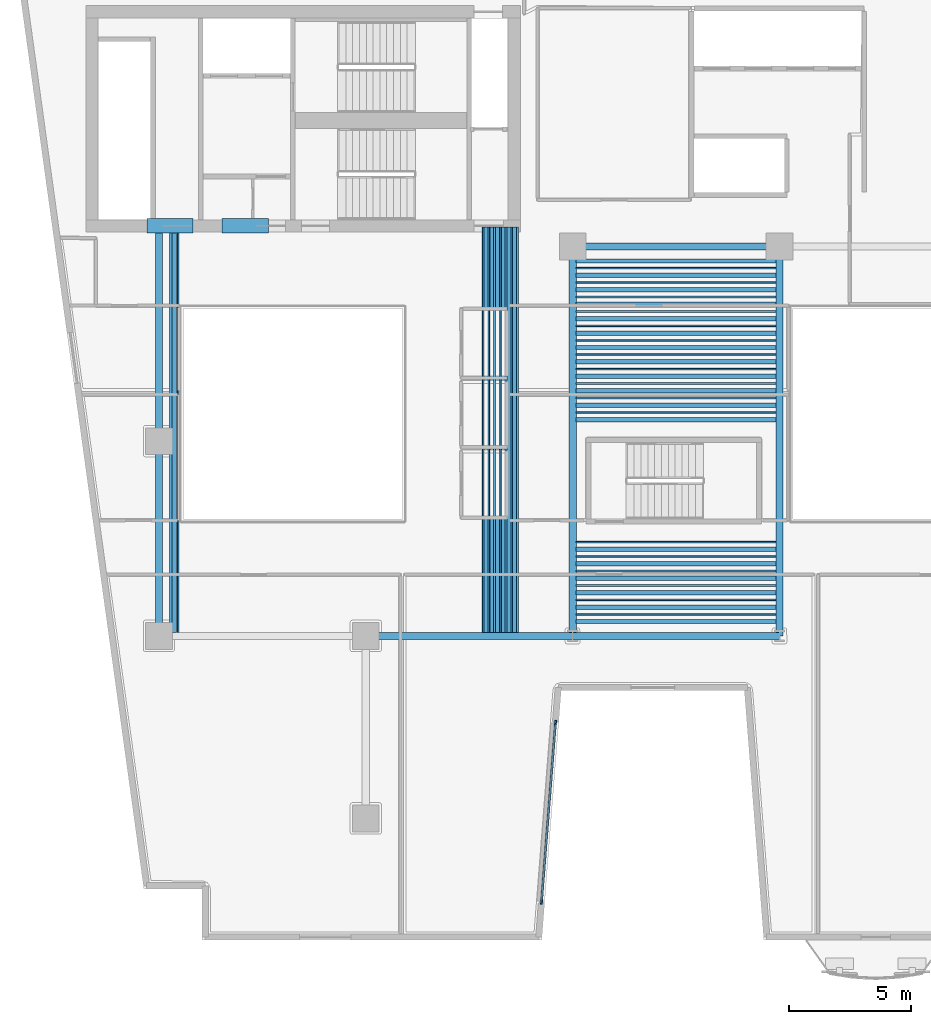
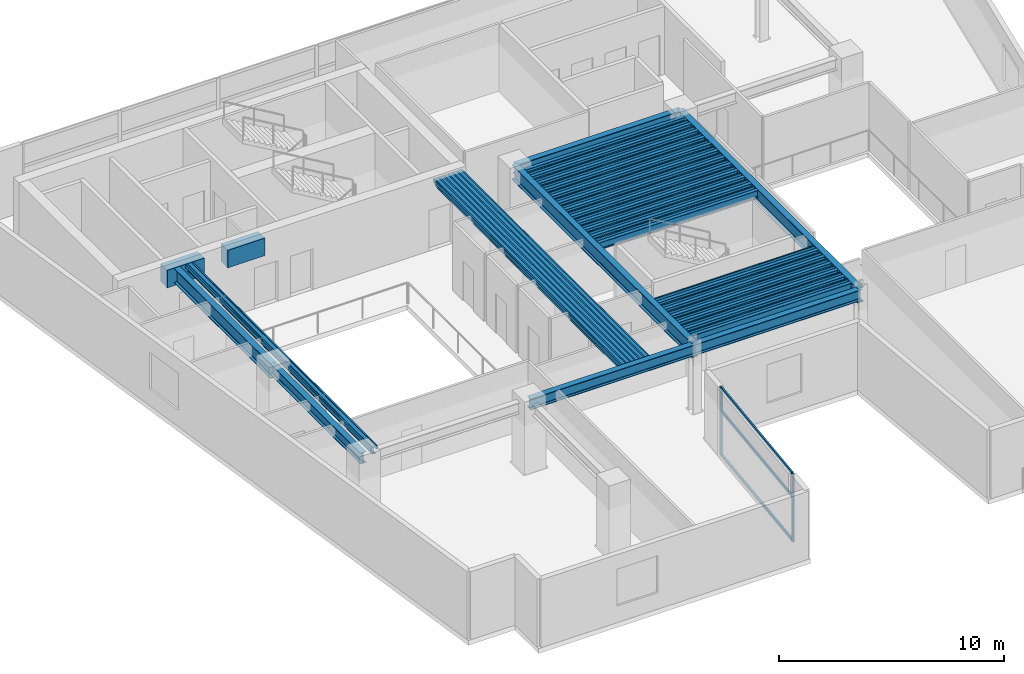
# One storey, part 2 of 13: 60 beams, 5 members, 1 element without a shape of its own.
"""IFC4 building model written with IfcOpenShell, lengths in metres."""

from ifc_helpers import new_model, si_unit, direction, frame, origin, origin_2d, place, context, subcontext, project, spatial, rectangle, hollow_rectangle, i_section, extrude, material, layer, layer_set, material_profile, profile_set, type_object, element, aggregate, save


model = new_model("IFC4")

# Units and contexts
model_context = context("Model", 3, precision=1e-05, world=origin(), true_north=direction((0.0, 1.0)))
body_context = subcontext(model_context, "Body", "Model", "MODEL_VIEW")
ifc_project = project(units=[si_unit("LENGTHUNIT", "METRE"), si_unit("AREAUNIT", "SQUARE_METRE"), si_unit("VOLUMEUNIT", "CUBIC_METRE"), si_unit("PLANEANGLEUNIT", "RADIAN"), si_unit("MASSUNIT", "GRAM", prefix="KILO")], contexts=[model_context])

# Site, building, storey
site_placement = place(None, origin())
site = spatial("IfcSite", under=ifc_project, at=site_placement, CompositionType="ELEMENT")
building_placement = place(site_placement, origin())
building = spatial("IfcBuilding", under=site, at=building_placement, Name="Caeloran Harvest Quay", CompositionType="ELEMENT")
storey_placement = place(building_placement, frame((0.0, 0.0, 143.0)))
storey = spatial("IfcBuildingStorey", under=building, at=storey_placement, Name="L33", CompositionType="ELEMENT", Elevation=143.0)

# Beams
ifc_material_1 = material(Name="Concrete C60/75", Category="concrete")
ifc_material_profile_1 = material_profile(ifc_material_1, rectangle(XDim=0.60009765625, YDim=0.949951171875, at=origin_2d()), Name="RC 600x950")
ifc_profile_set_1 = profile_set([ifc_material_profile_1], Name="Concrete C60/75")
beam_type_1 = type_object("IfcBeamType", Name="BM-CB-2-RC_600x950", PredefinedType="LINTEL", material=ifc_profile_set_1)
for number, where, z_axis, x_axis, name in (
    (1, (8.0, 31.85009765625, 3.215087890625), (1.0, 0.0, 0.0), (0.0, 1.0, 0.0), "L33 Core Coupling Beam 1"),
    (2, (11.10009765625, 31.85009765625, 3.215087890625), (1.0, 0.0, 0.0), (0.0, 1.0, 0.0), "L33 Core Coupling Beam 2"),
):
    element("IfcBeam", number, at=place(storey_placement, frame(where, z_axis=z_axis, x_axis=x_axis)), inside=storey, type_object=beam_type_1, Name=name, PredefinedType="LINTEL", context=body_context, shape_type="SweptSolid", body=[
        extrude(rectangle(XDim=0.60009765625, YDim=0.949951171875, at=origin_2d()), origin(), (0.0, 0.0, 1.0), 1.89990234375),
    ])
ifc_material_2 = material(Name="Steel S355J2", Category="steel")
ifc_material_profile_2 = material_profile(ifc_material_2, i_section(OverallWidth=0.300048828125, OverallDepth=0.800048828125, WebThickness=0.017578125, FlangeThickness=0.032958984375, FilletRadius=0.030029296875, at=origin_2d()), Name="HE 800 B")
ifc_profile_set_2 = profile_set([ifc_material_profile_2], Name="Steel S355J2")
beam_type_2 = type_object("IfcBeamType", Name="BM-PG-1-HE_800_B", PredefinedType="BEAM", material=ifc_profile_set_2)
beam_1_placement = place(storey_placement, frame((8.5, 23.0, 3.2900390625), z_axis=(0.0, 1.0, 0.0), x_axis=(-1.0, 0.0, 0.0)))
element("IfcBeam", 3, at=beam_1_placement, inside=storey, type_object=beam_type_2, Name="L33 Core South Tie Girder X=8.5", PredefinedType="BEAM", context=body_context, shape_type="SweptSolid", body=[
    extrude(i_section(OverallWidth=0.300048828125, OverallDepth=0.800048828125, WebThickness=0.017578125, FlangeThickness=0.032958984375, FilletRadius=0.030029296875, at=origin_2d()), origin(), (0.0, 0.0, 1.0), 8.800048828125),
])
for number, where, z_axis, x_axis, name in (
    (4, (25.5, 15.0, 3.2900390625), (0.0, 1.0, 0.0), (-1.0, 0.0, 0.0), "L33 Primary North-South Girder X=25.5"),
    (5, (34.0, 15.0, 3.2900390625), (0.0, 1.0, 0.0), (-1.0, 0.0, 0.0), "L33 Primary North-South Girder X=34.0"),
):
    element("IfcBeam", number, at=place(storey_placement, frame(where, z_axis=z_axis, x_axis=x_axis)), inside=storey, type_object=beam_type_2, Name=name, PredefinedType="BEAM", context=body_context, shape_type="SweptSolid", body=[
        extrude(i_section(OverallWidth=0.300048828125, OverallDepth=0.800048828125, WebThickness=0.017578125, FlangeThickness=0.032958984375, FilletRadius=0.030029296875, at=origin_2d()), origin(), (0.0, 0.0, 1.0), 16.0),
    ])
ifc_material_profile_3 = material_profile(ifc_material_2, i_section(OverallWidth=0.300048828125, OverallDepth=0.60009765625, WebThickness=0.015380859375, FlangeThickness=0.030029296875, FilletRadius=0.027099609375, at=origin_2d()), Name="HE 600 B")
ifc_profile_set_3 = profile_set([ifc_material_profile_3], Name="Steel S355J2")
beam_type_3 = type_object("IfcBeamType", Name="BM-PG-3-HE_600_B", PredefinedType="BEAM", material=ifc_profile_set_3)
for number, where, z_axis, x_axis, name in (
    (6, (17.0, 15.0, 3.389892578125), (1.0, 0.0, 0.0), (0.0, 1.0, 0.0), "L33 Primary East-West Girder Y=15.0"),
    (7, (25.5, 15.0, 3.389892578125), (1.0, 0.0, 0.0), (0.0, 1.0, 0.0), "L33 Primary East-West Girder Y=15.0"),
    (8, (25.5, 31.0, 3.389892578125), (1.0, 0.0, 0.0), (0.0, 1.0, 0.0), "L33 Primary East-West Girder Y=31.0"),
):
    element("IfcBeam", number, at=place(storey_placement, frame(where, z_axis=z_axis, x_axis=x_axis)), inside=storey, type_object=beam_type_3, Name=name, PredefinedType="BEAM", context=body_context, shape_type="SweptSolid", body=[
        extrude(i_section(OverallWidth=0.300048828125, OverallDepth=0.60009765625, WebThickness=0.015380859375, FlangeThickness=0.030029296875, FilletRadius=0.027099609375, at=origin_2d()), origin(), (0.0, 0.0, 1.0), 8.5),
    ])
beam_2_placement = place(storey_placement, frame((8.5, 15.0, 3.389892578125), z_axis=(0.0, 1.0, 0.0), x_axis=(-1.0, 0.0, 0.0)))
element("IfcBeam", 9, at=beam_2_placement, inside=storey, type_object=beam_type_3, Name="L33 Primary North-South Girder X=8.5", PredefinedType="BEAM", context=body_context, shape_type="SweptSolid", body=[
    extrude(i_section(OverallWidth=0.300048828125, OverallDepth=0.60009765625, WebThickness=0.015380859375, FlangeThickness=0.030029296875, FilletRadius=0.027099609375, at=origin_2d()), origin(), (0.0, 0.0, 1.0), 8.0),
])
ifc_material_profile_4 = material_profile(ifc_material_2, i_section(OverallWidth=0.179931640625, OverallDepth=0.39990234375, WebThickness=0.008544921875, FlangeThickness=0.013427734375, FilletRadius=0.02099609375, at=origin_2d()), Name="IPE 400")
ifc_profile_set_4 = profile_set([ifc_material_profile_4], Name="Steel S355J2")
beam_type_4 = type_object("IfcBeamType", Name="BM-SB-4-IPE_400", PredefinedType="JOIST", material=ifc_profile_set_4)
for number, where, z_axis, x_axis, name in (
    (10, (9.129638671875, 15.14501953125, 3.489990234375), (0.0, 1.0, 0.0), (-1.0, 0.0, 0.0), "L33 Secondary Composite Joist"),
    (11, (21.93896484375, 15.14501953125, 3.489990234375), (0.0, 1.0, 0.0), (-1.0, 0.0, 0.0), "L33 Secondary Composite Joist"),
    (12, (22.174072265625, 15.14501953125, 3.489990234375), (0.0, 1.0, 0.0), (-1.0, 0.0, 0.0), "L33 Secondary Composite Joist"),
    (13, (22.4091796875, 15.14501953125, 3.489990234375), (0.0, 1.0, 0.0), (-1.0, 0.0, 0.0), "L33 Secondary Composite Joist"),
    (14, (22.644287109375, 15.14501953125, 3.489990234375), (0.0, 1.0, 0.0), (-1.0, 0.0, 0.0), "L33 Secondary Composite Joist"),
    (15, (22.879638671875, 15.14501953125, 3.489990234375), (0.0, 1.0, 0.0), (-1.0, 0.0, 0.0), "L33 Secondary Composite Joist"),
    (16, (23.11474609375, 15.14501953125, 3.489990234375), (0.0, 1.0, 0.0), (-1.0, 0.0, 0.0), "L33 Secondary Composite Joist"),
):
    element("IfcBeam", number, at=place(storey_placement, frame(where, z_axis=z_axis, x_axis=x_axis)), inside=storey, type_object=beam_type_4, Name=name, PredefinedType="JOIST", context=body_context, shape_type="SweptSolid", body=[
        extrude(i_section(OverallWidth=0.179931640625, OverallDepth=0.39990234375, WebThickness=0.008544921875, FlangeThickness=0.013427734375, FilletRadius=0.02099609375, at=origin_2d()), origin(), (0.0, 0.0, 1.0), 16.655029296875),
    ])
for number, where, z_axis, x_axis, name in (
    (17, (25.64501953125, 15.592529296875, 3.489990234375), (1.0, 0.0, 0.0), (0.0, 1.0, 0.0), "L33 Secondary East-West Composite Joist"),
    (18, (25.64501953125, 16.185302734375, 3.489990234375), (1.0, 0.0, 0.0), (0.0, 1.0, 0.0), "L33 Secondary East-West Composite Joist"),
    (19, (25.64501953125, 16.77783203125, 3.489990234375), (1.0, 0.0, 0.0), (0.0, 1.0, 0.0), "L33 Secondary East-West Composite Joist"),
    (20, (25.64501953125, 17.370361328125, 3.489990234375), (1.0, 0.0, 0.0), (0.0, 1.0, 0.0), "L33 Secondary East-West Composite Joist"),
    (21, (25.64501953125, 17.962890625, 3.489990234375), (1.0, 0.0, 0.0), (0.0, 1.0, 0.0), "L33 Secondary East-West Composite Joist"),
    (22, (25.64501953125, 18.5556640625, 3.489990234375), (1.0, 0.0, 0.0), (0.0, 1.0, 0.0), "L33 Secondary East-West Composite Joist"),
    (23, (25.64501953125, 23.888916015625, 3.489990234375), (1.0, 0.0, 0.0), (0.0, 1.0, 0.0), "L33 Secondary East-West Composite Joist"),
    (24, (25.64501953125, 24.4814453125, 3.489990234375), (1.0, 0.0, 0.0), (0.0, 1.0, 0.0), "L33 Secondary East-West Composite Joist"),
    (25, (25.64501953125, 25.07421875, 3.489990234375), (1.0, 0.0, 0.0), (0.0, 1.0, 0.0), "L33 Secondary East-West Composite Joist"),
    (26, (25.64501953125, 25.666748046875, 3.489990234375), (1.0, 0.0, 0.0), (0.0, 1.0, 0.0), "L33 Secondary East-West Composite Joist"),
    (27, (25.64501953125, 26.25927734375, 3.489990234375), (1.0, 0.0, 0.0), (0.0, 1.0, 0.0), "L33 Secondary East-West Composite Joist"),
    (28, (25.64501953125, 26.851806640625, 3.489990234375), (1.0, 0.0, 0.0), (0.0, 1.0, 0.0), "L33 Secondary East-West Composite Joist"),
    (29, (25.64501953125, 27.4443359375, 3.489990234375), (1.0, 0.0, 0.0), (0.0, 1.0, 0.0), "L33 Secondary East-West Composite Joist"),
    (30, (25.64501953125, 28.037109375, 3.489990234375), (1.0, 0.0, 0.0), (0.0, 1.0, 0.0), "L33 Secondary East-West Composite Joist"),
    (31, (25.64501953125, 28.629638671875, 3.489990234375), (1.0, 0.0, 0.0), (0.0, 1.0, 0.0), "L33 Secondary East-West Composite Joist"),
    (32, (25.64501953125, 29.22216796875, 3.489990234375), (1.0, 0.0, 0.0), (0.0, 1.0, 0.0), "L33 Secondary East-West Composite Joist"),
    (33, (25.64501953125, 29.814697265625, 3.489990234375), (1.0, 0.0, 0.0), (0.0, 1.0, 0.0), "L33 Secondary East-West Composite Joist"),
    (34, (25.64501953125, 30.407470703125, 3.489990234375), (1.0, 0.0, 0.0), (0.0, 1.0, 0.0), "L33 Secondary East-West Composite Joist"),
):
    element("IfcBeam", number, at=place(storey_placement, frame(where, z_axis=z_axis, x_axis=x_axis)), inside=storey, type_object=beam_type_4, Name=name, PredefinedType="JOIST", context=body_context, shape_type="SweptSolid", body=[
        extrude(i_section(OverallWidth=0.179931640625, OverallDepth=0.39990234375, WebThickness=0.008544921875, FlangeThickness=0.013427734375, FilletRadius=0.02099609375, at=origin_2d()), origin(), (0.0, 0.0, 1.0), 8.2099609375),
    ])
ifc_material_profile_5 = material_profile(ifc_material_2, hollow_rectangle(XDim=0.080078125, YDim=0.199951171875, WallThickness=0.006103515625, InnerFilletRadius=0.006103515625, OuterFilletRadius=0.009033203125, at=origin_2d()), Name="RHS 200x80x6")
ifc_profile_set_5 = profile_set([ifc_material_profile_5], Name="Steel S355J2")
beam_type_5 = type_object("IfcBeamType", Name="BM-SB-7-RHS_200x80x6", PredefinedType="JOIST", material=ifc_profile_set_5)
for number, where, z_axis, x_axis, name in (
    (35, (8.97216796875, 15.14501953125, 3.590087890625), (0.0, 1.0, 0.0), (-1.0, 0.0, 0.0), "L33 Secondary Composite Joist"),
    (36, (9.287109375, 15.14501953125, 3.590087890625), (0.0, 1.0, 0.0), (-1.0, 0.0, 0.0), "L33 Secondary Composite Joist"),
    (37, (21.8212890625, 15.14501953125, 3.590087890625), (0.0, 1.0, 0.0), (-1.0, 0.0, 0.0), "L33 Secondary Composite Joist"),
    (38, (22.056396484375, 15.14501953125, 3.590087890625), (0.0, 1.0, 0.0), (-1.0, 0.0, 0.0), "L33 Secondary Composite Joist"),
    (39, (22.291748046875, 15.14501953125, 3.590087890625), (0.0, 1.0, 0.0), (-1.0, 0.0, 0.0), "L33 Secondary Composite Joist"),
    (40, (22.52685546875, 15.14501953125, 3.590087890625), (0.0, 1.0, 0.0), (-1.0, 0.0, 0.0), "L33 Secondary Composite Joist"),
    (41, (22.761962890625, 15.14501953125, 3.590087890625), (0.0, 1.0, 0.0), (-1.0, 0.0, 0.0), "L33 Secondary Composite Joist"),
    (42, (22.997314453125, 15.14501953125, 3.590087890625), (0.0, 1.0, 0.0), (-1.0, 0.0, 0.0), "L33 Secondary Composite Joist"),
    (43, (23.232421875, 15.14501953125, 3.590087890625), (0.0, 1.0, 0.0), (-1.0, 0.0, 0.0), "L33 Secondary Composite Joist"),
):
    element("IfcBeam", number, at=place(storey_placement, frame(where, z_axis=z_axis, x_axis=x_axis)), inside=storey, type_object=beam_type_5, Name=name, PredefinedType="JOIST", context=body_context, shape_type="SweptSolid", body=[
        extrude(hollow_rectangle(XDim=0.080078125, YDim=0.199951171875, WallThickness=0.006103515625, InnerFilletRadius=0.006103515625, OuterFilletRadius=0.009033203125, at=origin_2d()), origin(), (0.0, 0.0, 1.0), 16.655029296875),
    ])
for number, where, z_axis, x_axis, name in (
    (44, (25.64501953125, 15.888916015625, 3.590087890625), (1.0, 0.0, 0.0), (0.0, 1.0, 0.0), "L33 Secondary East-West Composite Joist"),
    (45, (25.64501953125, 16.4814453125, 3.590087890625), (1.0, 0.0, 0.0), (0.0, 1.0, 0.0), "L33 Secondary East-West Composite Joist"),
    (46, (25.64501953125, 17.07421875, 3.590087890625), (1.0, 0.0, 0.0), (0.0, 1.0, 0.0), "L33 Secondary East-West Composite Joist"),
    (47, (25.64501953125, 17.666748046875, 3.590087890625), (1.0, 0.0, 0.0), (0.0, 1.0, 0.0), "L33 Secondary East-West Composite Joist"),
    (48, (25.64501953125, 18.25927734375, 3.590087890625), (1.0, 0.0, 0.0), (0.0, 1.0, 0.0), "L33 Secondary East-West Composite Joist"),
    (49, (25.64501953125, 18.851806640625, 3.590087890625), (1.0, 0.0, 0.0), (0.0, 1.0, 0.0), "L33 Secondary East-West Composite Joist"),
    (50, (25.64501953125, 24.185302734375, 3.590087890625), (1.0, 0.0, 0.0), (0.0, 1.0, 0.0), "L33 Secondary East-West Composite Joist"),
    (51, (25.64501953125, 24.77783203125, 3.590087890625), (1.0, 0.0, 0.0), (0.0, 1.0, 0.0), "L33 Secondary East-West Composite Joist"),
    (52, (25.64501953125, 25.370361328125, 3.590087890625), (1.0, 0.0, 0.0), (0.0, 1.0, 0.0), "L33 Secondary East-West Composite Joist"),
    (53, (25.64501953125, 25.962890625, 3.590087890625), (1.0, 0.0, 0.0), (0.0, 1.0, 0.0), "L33 Secondary East-West Composite Joist"),
    (54, (25.64501953125, 26.5556640625, 3.590087890625), (1.0, 0.0, 0.0), (0.0, 1.0, 0.0), "L33 Secondary East-West Composite Joist"),
    (55, (25.64501953125, 27.148193359375, 3.590087890625), (1.0, 0.0, 0.0), (0.0, 1.0, 0.0), "L33 Secondary East-West Composite Joist"),
    (56, (25.64501953125, 27.74072265625, 3.590087890625), (1.0, 0.0, 0.0), (0.0, 1.0, 0.0), "L33 Secondary East-West Composite Joist"),
    (57, (25.64501953125, 28.333251953125, 3.590087890625), (1.0, 0.0, 0.0), (0.0, 1.0, 0.0), "L33 Secondary East-West Composite Joist"),
    (58, (25.64501953125, 28.92578125, 3.590087890625), (1.0, 0.0, 0.0), (0.0, 1.0, 0.0), "L33 Secondary East-West Composite Joist"),
    (59, (25.64501953125, 29.5185546875, 3.590087890625), (1.0, 0.0, 0.0), (0.0, 1.0, 0.0), "L33 Secondary East-West Composite Joist"),
    (60, (25.64501953125, 30.111083984375, 3.590087890625), (1.0, 0.0, 0.0), (0.0, 1.0, 0.0), "L33 Secondary East-West Composite Joist"),
):
    element("IfcBeam", number, at=place(storey_placement, frame(where, z_axis=z_axis, x_axis=x_axis)), inside=storey, type_object=beam_type_5, Name=name, PredefinedType="JOIST", context=body_context, shape_type="SweptSolid", body=[
        extrude(hollow_rectangle(XDim=0.080078125, YDim=0.199951171875, WallThickness=0.006103515625, InnerFilletRadius=0.006103515625, OuterFilletRadius=0.009033203125, at=origin_2d()), origin(), (0.0, 0.0, 1.0), 8.2099609375),
    ])

# Curtain wall, members
ifc_material_3 = material(Name="Aluminium 6063-T6 and Low-E Glazing", Category="aluminium")
ifc_layer = layer(ifc_material_3, 0.18994140625, Name="Aluminium 6063-T6 and Low-E Glazing")
ifc_layer_set = layer_set([ifc_layer], Name="Aluminium 6063-T6 and Low-E Glazing")
curtain_wall_type = type_object("IfcCurtainWallType", Name="CW-SYS-CW-3", PredefinedType="USERDEFINED", material=ifc_layer_set)
curtain_wall_placement = place(storey_placement, origin())
curtain_wall = element("IfcCurtainWall", 61, at=curtain_wall_placement, inside=storey, type_object=curtain_wall_type, Name="L33 Unitised Curtain Wall CW-3 Run 15", ObjectType="CURTAIN_WALL", PredefinedType="USERDEFINED")
ifc_material_4 = material(Name="Aluminium 6063-T6", Category="aluminium")
ifc_material_profile_6 = material_profile(ifc_material_4, rectangle(XDim=0.080078125, YDim=0.179931640625, at=origin_2d()), Name="CW-MULLION-180")
ifc_profile_set_6 = profile_set([ifc_material_profile_6], Name="Aluminium 6063-T6")
member_type_1 = type_object("IfcMemberType", Name="CW-MULLION-180", PredefinedType="MULLION", material=ifc_profile_set_6)
member_1_placement = place(storey_placement, frame((24.7978515625, 11.4443359375, 0.0), z_axis=(0.0, 0.0, 1.0), x_axis=(0.996967280277, -0.077821861046, 0.0)))
member_1 = element("IfcMember", 62, at=member_1_placement, type_object=member_type_1, Name="CW-3 mullion 1", PredefinedType="MULLION", context=body_context, shape_type="SweptSolid", body=[
    extrude(rectangle(XDim=0.080078125, YDim=0.179931640625, at=origin_2d()), origin(), (0.0, 0.0, 1.0), 3.68994140625),
])
member_2_placement = place(storey_placement, frame((24.221923828125, 4.065673828125, 0.0), z_axis=(0.0, 0.0, 1.0), x_axis=(0.996967280277, -0.077821861046, 0.0)))
member_2 = element("IfcMember", 63, at=member_2_placement, type_object=member_type_1, Name="CW-3 mullion 2", PredefinedType="MULLION", context=body_context, shape_type="SweptSolid", body=[
    extrude(rectangle(XDim=0.080078125, YDim=0.179931640625, at=origin_2d()), origin(), (0.0, 0.0, 1.0), 3.68994140625),
])
ifc_material_profile_7 = material_profile(ifc_material_4, rectangle(XDim=0.080078125, YDim=0.14990234375, at=origin_2d()), Name="CW-TRANSOM-150")
ifc_profile_set_7 = profile_set([ifc_material_profile_7], Name="Aluminium 6063-T6")
member_type_2 = type_object("IfcMemberType", Name="CW-TRANSOM-150", PredefinedType="USERDEFINED", material=ifc_profile_set_7)
member_3_placement = place(storey_placement, frame((24.794677734375, 11.404541015625, 0.0400390625), z_axis=(-0.077831218093, -0.996966549835, 0.0), x_axis=(0.996966549835, -0.077831218093, 0.0)))
member_3 = element("IfcMember", 64, at=member_3_placement, type_object=member_type_2, Name="CW-3 transom 1.1", ObjectType="TRANSOM", PredefinedType="USERDEFINED", context=body_context, shape_type="SweptSolid", body=[
    extrude(rectangle(XDim=0.080078125, YDim=0.14990234375, at=origin_2d()), origin(), (0.0, 0.0, 1.0), 7.3212890625),
])
member_4_placement = place(storey_placement, frame((24.794677734375, 11.404541015625, 2.39990234375), z_axis=(-0.077831218093, -0.996966549835, 0.0), x_axis=(0.996966549835, -0.077831218093, 0.0)))
member_4 = element("IfcMember", 65, at=member_4_placement, type_object=member_type_2, Name="CW-3 transom 1.2", ObjectType="TRANSOM", PredefinedType="USERDEFINED", context=body_context, shape_type="SweptSolid", body=[
    extrude(rectangle(XDim=0.080078125, YDim=0.14990234375, at=origin_2d()), origin(), (0.0, 0.0, 1.0), 7.3212890625),
])
member_5_placement = place(storey_placement, frame((24.794677734375, 11.404541015625, 3.64990234375), z_axis=(-0.077831218093, -0.996966549835, 0.0), x_axis=(0.996966549835, -0.077831218093, 0.0)))
member_5 = element("IfcMember", 66, at=member_5_placement, type_object=member_type_2, Name="CW-3 transom 1.3", ObjectType="TRANSOM", PredefinedType="USERDEFINED", context=body_context, shape_type="SweptSolid", body=[
    extrude(rectangle(XDim=0.080078125, YDim=0.14990234375, at=origin_2d()), origin(), (0.0, 0.0, 1.0), 7.3212890625),
])
aggregate(curtain_wall, [member_1, member_2, member_3, member_4, member_5])

save(model, "model.ifc")
